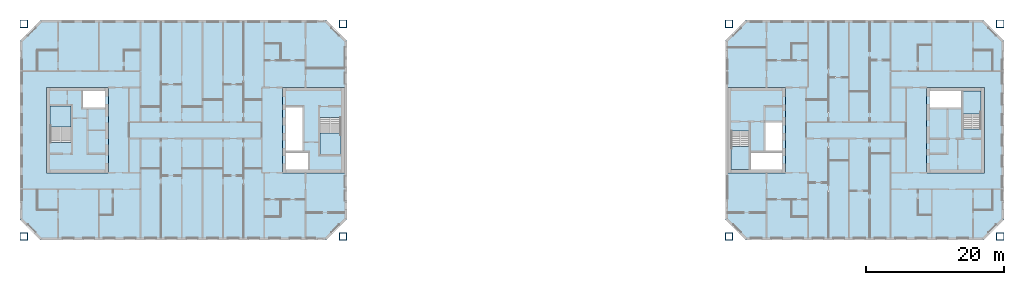
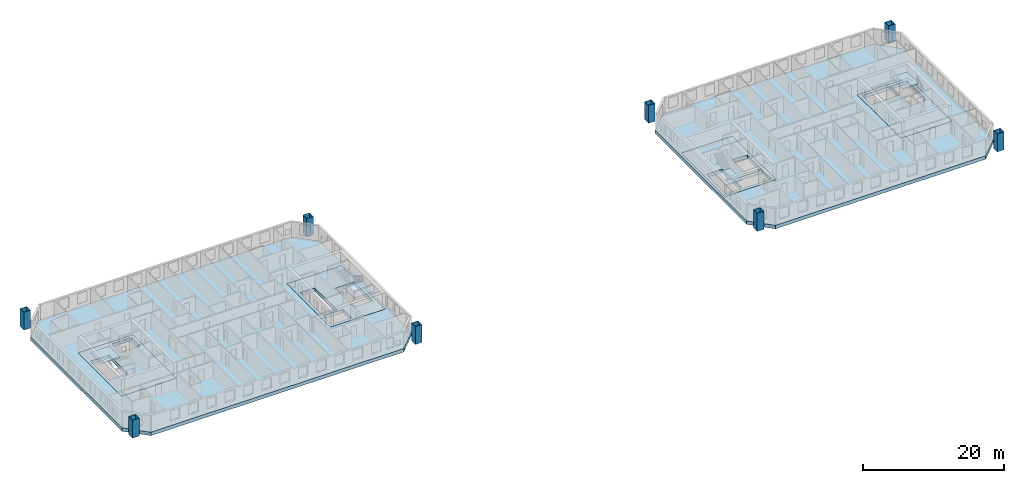
# One storey, part 1 of 15: 10 slabs, 8 columns, 4 elements without a shape of their own.
"""IFC4 building model written with IfcOpenShell, lengths in metres."""

from ifc_helpers import new_model, si_unit, direction, frame, origin, origin_2d, place, context, subcontext, project, spatial, polyline, hollow_rectangle, outline, extrude, material, layer, layer_set, material_profile, profile_set, type_object, element, aggregate, save


model = new_model("IFC4")

# Units and contexts
model_context = context("Model", 3, precision=1e-05, world=origin(), true_north=direction((0.0, 1.0)))
body_context = subcontext(model_context, "Body", "Model", "MODEL_VIEW")
ifc_project = project(units=[si_unit("LENGTHUNIT", "METRE"), si_unit("AREAUNIT", "SQUARE_METRE"), si_unit("VOLUMEUNIT", "CUBIC_METRE"), si_unit("PLANEANGLEUNIT", "RADIAN"), si_unit("MASSUNIT", "GRAM", prefix="KILO")], contexts=[model_context])

# Site, building, storey
site_placement = place(None, origin())
site = spatial("IfcSite", under=ifc_project, at=site_placement, CompositionType="ELEMENT")
building_placement = place(site_placement, origin())
building = spatial("IfcBuilding", under=site, at=building_placement, Name="Tuart Gate Housing", CompositionType="ELEMENT")
storey_placement = place(building_placement, frame((0.0, 0.0, 148.5)))
storey = spatial("IfcBuildingStorey", under=building, at=storey_placement, Name="L41", CompositionType="ELEMENT", Elevation=148.5)

# Columns
ifc_material_1 = material(Name="Steel Grade 350", Category="steel")
ifc_material_profile = material_profile(ifc_material_1, hollow_rectangle(XDim=1.10009765625, YDim=1.10009765625, WallThickness=0.06005859375, at=origin_2d()), Name="BOX 1100x1100x60")
ifc_profile_set = profile_set([ifc_material_profile], Name="Steel Grade 350")
column_type = type_object("IfcColumnType", Name="Mega column BOX 1100x1100x60", PredefinedType="COLUMN", material=ifc_profile_set)
for number, where, z_axis, x_axis, name in (
    (1, (29.050048828125, 54.550048828125, 0.0), (0.0, 0.0, 1.0), (1.0, 0.0, 0.0), "Mega column A south-west L41"),
    (2, (75.449951171875, 54.550048828125, 0.0), (0.0, 0.0, 1.0), (1.0, 0.0, 0.0), "Mega column A south-east L41"),
    (3, (75.449951171875, 85.449951171875, 0.0), (0.0, 0.0, 1.0), (1.0, 0.0, 0.0), "Mega column A north-east L41"),
    (4, (29.050048828125, 85.449951171875, 0.0), (0.0, 0.0, 1.0), (1.0, 0.0, 0.0), "Mega column A north-west L41"),
    (5, (131.550048828125, 54.550048828125, 0.0), (0.0, 0.0, 1.0), (1.0, 0.0, 0.0), "Mega column B south-west L41"),
    (6, (170.949951171875, 54.550048828125, 0.0), (0.0, 0.0, 1.0), (1.0, 0.0, 0.0), "Mega column B south-east L41"),
    (7, (170.949951171875, 85.449951171875, 0.0), (0.0, 0.0, 1.0), (1.0, 0.0, 0.0), "Mega column B north-east L41"),
    (8, (131.550048828125, 85.449951171875, 0.0), (0.0, 0.0, 1.0), (1.0, 0.0, 0.0), "Mega column B north-west L41"),
):
    element("IfcColumn", number, at=place(storey_placement, frame(where, z_axis=z_axis, x_axis=x_axis)), inside=storey, type_object=column_type, Name=name, PredefinedType="COLUMN", context=body_context, shape_type="SweptSolid", body=[
        extrude(hollow_rectangle(XDim=1.10009765625, YDim=1.10009765625, WallThickness=0.06005859375, at=origin_2d()), origin(), (0.0, 0.0, 1.0), 3.10009765625),
    ])

# Slabs
ifc_material_2 = material(Name="Concrete C40", Category="concrete")
ifc_layer_1 = layer(ifc_material_2, 0.60009765625)
ifc_layer_set_1 = layer_set([ifc_layer_1], Name="Core floor slab 600")
slab_type_1 = type_object("IfcSlabType", Name="Core floor slab 600", PredefinedType="FLOOR", material=ifc_layer_set_1)
slab_1_placement = place(storey_placement, frame((0.0, 0.0, -0.60009765625)))
element("IfcSlab", 9, at=slab_1_placement, inside=storey, type_object=slab_type_1, Name="Core floor AG", PredefinedType="FLOOR", context=body_context, shape_type="SweptSolid", body=[
    extrude(outline(polyline([(66.639892578125, 63.800048828125), (75.639892578125, 63.800048828125), (75.639892578125, 76.199951171875), (66.639892578125, 76.199951171875), (66.639892578125, 63.800048828125)]), holes=[polyline([(67.139892578125, 64.300048828125), (70.385009765625, 64.300048828125), (70.385009765625, 66.72509765625), (67.139892578125, 66.72509765625), (67.139892578125, 64.300048828125)]), polyline([(67.139892578125, 66.97509765625), (69.56494140625, 66.97509765625), (69.56494140625, 73.324951171875), (67.139892578125, 73.324951171875), (67.139892578125, 66.97509765625)]), polyline([(72.06494140625, 66.47509765625), (75.139892578125, 66.47509765625), (75.139892578125, 71.804931640625), (72.06494140625, 71.804931640625), (72.06494140625, 66.47509765625)])]), origin(), (0.0, 0.0, 1.0), 0.60009765625),
])
slab_2_placement = place(storey_placement, frame((0.0, 0.0, -0.60009765625)))
element("IfcSlab", 10, at=slab_2_placement, inside=storey, type_object=slab_type_1, Name="Core floor AK", PredefinedType="FLOOR", context=body_context, shape_type="SweptSolid", body=[
    extrude(outline(polyline([(32.360107421875, 63.800048828125), (41.360107421875, 63.800048828125), (41.360107421875, 76.199951171875), (32.360107421875, 76.199951171875), (32.360107421875, 63.800048828125)]), holes=[polyline([(40.860107421875, 75.699951171875), (37.614990234375, 75.699951171875), (37.614990234375, 73.27490234375), (40.860107421875, 73.27490234375), (40.860107421875, 75.699951171875)]), polyline([(35.93505859375, 73.52490234375), (32.860107421875, 73.52490234375), (32.860107421875, 68.195068359375), (35.93505859375, 68.195068359375), (35.93505859375, 73.52490234375)])]), origin(), (0.0, 0.0, 1.0), 0.60009765625),
])
slab_3_placement = place(storey_placement, frame((0.0, 0.0, -0.60009765625)))
element("IfcSlab", 11, at=slab_3_placement, inside=storey, type_object=slab_type_1, Name="Core floor BG", PredefinedType="FLOOR", context=body_context, shape_type="SweptSolid", body=[
    extrude(outline(polyline([(131.360107421875, 63.800048828125), (139.760009765625, 63.800048828125), (139.760009765625, 76.199951171875), (131.360107421875, 76.199951171875), (131.360107421875, 63.800048828125)]), holes=[polyline([(139.260009765625, 66.85009765625), (134.68505859375, 66.85009765625), (134.68505859375, 64.300048828125), (139.260009765625, 64.300048828125), (139.260009765625, 66.85009765625)]), polyline([(139.260009765625, 71.125), (136.8349609375, 71.125), (136.8349609375, 66.97509765625), (139.260009765625, 66.97509765625), (139.260009765625, 71.125)]), polyline([(134.43505859375, 69.85498046875), (131.860107421875, 69.85498046875), (131.860107421875, 64.300048828125), (134.43505859375, 64.300048828125), (134.43505859375, 69.85498046875)])]), origin(), (0.0, 0.0, 1.0), 0.60009765625),
])
slab_4_placement = place(storey_placement, frame((0.0, 0.0, -0.60009765625)))
element("IfcSlab", 12, at=slab_4_placement, inside=storey, type_object=slab_type_1, Name="Core floor BK", PredefinedType="FLOOR", context=body_context, shape_type="SweptSolid", body=[
    extrude(outline(polyline([(160.239990234375, 63.800048828125), (168.639892578125, 63.800048828125), (168.639892578125, 76.199951171875), (160.239990234375, 76.199951171875), (160.239990234375, 63.800048828125)]), holes=[polyline([(160.739990234375, 73.14990234375), (165.31494140625, 73.14990234375), (165.31494140625, 75.699951171875), (160.739990234375, 75.699951171875), (160.739990234375, 73.14990234375)]), polyline([(165.56494140625, 70.14501953125), (168.139892578125, 70.14501953125), (168.139892578125, 75.699951171875), (165.56494140625, 75.699951171875), (165.56494140625, 70.14501953125)])]), origin(), (0.0, 0.0, 1.0), 0.60009765625),
])

# Stair, slab
ifc_material_3 = material(Name="Concrete C40", Category="concrete")
stair_type_1 = type_object("IfcStairType", Name="Core stair 1500", PredefinedType="HALF_TURN_STAIR", material=ifc_material_3)
stair_1_placement = place(storey_placement, origin())
stair_1 = element("IfcStair", 13, at=stair_1_placement, inside=storey, type_object=stair_type_1, Name="Stair SA1", PredefinedType="HALF_TURN_STAIR")
ifc_material_4 = material(Name="Concrete C40", Category="concrete")
ifc_layer_2 = layer(ifc_material_4, 0.199951171875)
ifc_layer_set_2 = layer_set([ifc_layer_2], Name="Stair landing 200")
slab_type_2 = type_object("IfcSlabType", Name="Stair landing 200", PredefinedType="LANDING", material=ifc_layer_set_2)
slab_5_placement = place(storey_placement, frame((0.0, 0.0, 1.35009765625)))
slab_5 = element("IfcSlab", 14, at=slab_5_placement, type_object=slab_type_2, Name="SA1 landing 1", PredefinedType="LANDING", context=body_context, shape_type="SweptSolid", body=[
    extrude(outline(polyline([(72.06494140625, 66.47509765625), (75.139892578125, 66.47509765625), (75.139892578125, 69.5849609375), (72.06494140625, 69.5849609375), (72.06494140625, 66.47509765625)])), origin(), (0.0, 0.0, 1.0), 0.199951171875),
])
aggregate(stair_1, [slab_5])

stair_2_placement = place(storey_placement, origin())
stair_2 = element("IfcStair", 15, at=stair_2_placement, inside=storey, type_object=stair_type_1, Name="Stair SA2", PredefinedType="HALF_TURN_STAIR")
slab_6_placement = place(storey_placement, frame((0.0, 0.0, 1.35009765625)))
slab_6 = element("IfcSlab", 16, at=slab_6_placement, type_object=slab_type_2, Name="SA2 landing 1", PredefinedType="LANDING", context=body_context, shape_type="SweptSolid", body=[
    extrude(outline(polyline([(35.93505859375, 73.52490234375), (32.860107421875, 73.52490234375), (32.860107421875, 70.4150390625), (35.93505859375, 70.4150390625), (35.93505859375, 73.52490234375)])), origin(), (0.0, 0.0, 1.0), 0.199951171875),
])
aggregate(stair_2, [slab_6])

ifc_material_5 = material(Name="Concrete C40", Category="concrete")
stair_type_2 = type_object("IfcStairType", Name="Core stair 1250", PredefinedType="HALF_TURN_STAIR", material=ifc_material_5)
stair_3_placement = place(storey_placement, origin())
stair_3 = element("IfcStair", 17, at=stair_3_placement, inside=storey, type_object=stair_type_2, Name="Stair SB1", PredefinedType="HALF_TURN_STAIR")
slab_7_placement = place(storey_placement, frame((0.0, 0.0, 1.35009765625)))
slab_7 = element("IfcSlab", 18, at=slab_7_placement, type_object=slab_type_2, Name="SB1 landing 1", PredefinedType="LANDING", context=body_context, shape_type="SweptSolid", body=[
    extrude(outline(polyline([(134.43505859375, 67.635009765625), (131.860107421875, 67.635009765625), (131.860107421875, 64.300048828125), (134.43505859375, 64.300048828125), (134.43505859375, 67.635009765625)])), origin(), (0.0, 0.0, 1.0), 0.199951171875),
])
aggregate(stair_3, [slab_7])

stair_4_placement = place(storey_placement, origin())
stair_4 = element("IfcStair", 19, at=stair_4_placement, inside=storey, type_object=stair_type_2, Name="Stair SB2", PredefinedType="HALF_TURN_STAIR")
slab_8_placement = place(storey_placement, frame((0.0, 0.0, 1.35009765625)))
slab_8 = element("IfcSlab", 20, at=slab_8_placement, type_object=slab_type_2, Name="SB2 landing 1", PredefinedType="LANDING", context=body_context, shape_type="SweptSolid", body=[
    extrude(outline(polyline([(165.56494140625, 72.364990234375), (168.139892578125, 72.364990234375), (168.139892578125, 75.699951171875), (165.56494140625, 75.699951171875), (165.56494140625, 72.364990234375)])), origin(), (0.0, 0.0, 1.0), 0.199951171875),
])
aggregate(stair_4, [slab_8])

# Slabs
ifc_material_6 = material(Name="Concrete C40", Category="concrete")
ifc_layer_3 = layer(ifc_material_6, 0.60009765625)
ifc_layer_set_3 = layer_set([ifc_layer_3], Name="Transfer plate 600")
slab_type_3 = type_object("IfcSlabType", Name="Transfer plate 600", PredefinedType="FLOOR", material=ifc_layer_set_3)
slab_9_placement = place(storey_placement, frame((0.0, 0.0, -0.60009765625)))
element("IfcSlab", 21, at=slab_9_placement, inside=storey, type_object=slab_type_3, Name="Floor slab A L41", PredefinedType="FLOOR", context=body_context, shape_type="SweptSolid", body=[
    extrude(outline(polyline([(31.5, 86.0), (28.5, 83.0), (28.5, 57.0), (31.5, 54.0), (73.0, 54.0), (76.0, 57.0), (76.0, 83.0), (73.0, 86.0), (31.5, 86.0)]), holes=[polyline([(66.639892578125, 76.199951171875), (75.639892578125, 76.199951171875), (75.639892578125, 63.800048828125), (66.639892578125, 63.800048828125), (66.639892578125, 76.199951171875)]), polyline([(41.360107421875, 76.199951171875), (41.360107421875, 63.800048828125), (32.360107421875, 63.800048828125), (32.360107421875, 76.199951171875), (41.360107421875, 76.199951171875)])]), origin(), (0.0, 0.0, 1.0), 0.60009765625),
])
slab_10_placement = place(storey_placement, frame((0.0, 0.0, -0.60009765625)))
element("IfcSlab", 22, at=slab_10_placement, inside=storey, type_object=slab_type_3, Name="Floor slab B L41", PredefinedType="FLOOR", context=body_context, shape_type="SweptSolid", body=[
    extrude(outline(polyline([(134.0, 86.0), (131.0, 83.0), (131.0, 57.0), (134.0, 54.0), (168.5, 54.0), (171.5, 57.0), (171.5, 83.0), (168.5, 86.0), (134.0, 86.0)]), holes=[polyline([(131.360107421875, 76.199951171875), (139.760009765625, 76.199951171875), (139.760009765625, 63.800048828125), (131.360107421875, 63.800048828125), (131.360107421875, 76.199951171875)]), polyline([(168.639892578125, 76.199951171875), (168.639892578125, 63.800048828125), (160.239990234375, 63.800048828125), (160.239990234375, 76.199951171875), (168.639892578125, 76.199951171875)])]), origin(), (0.0, 0.0, 1.0), 0.60009765625),
])

save(model, "model.ifc")
